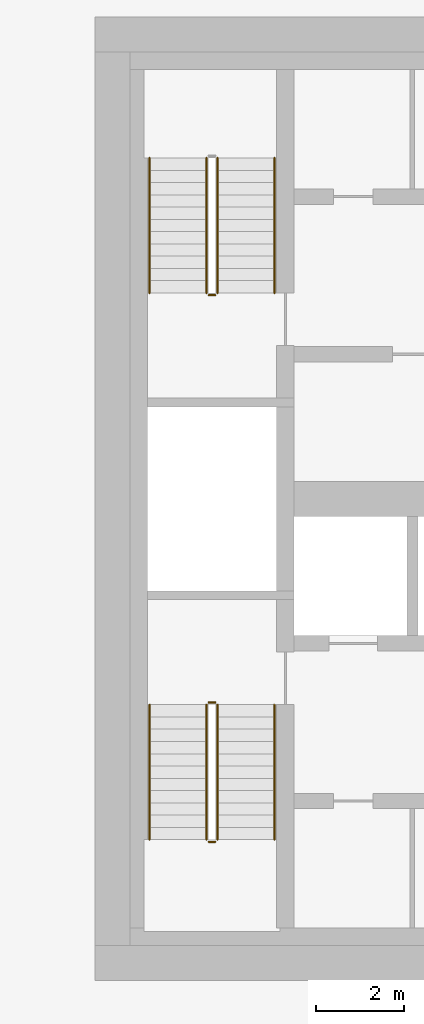
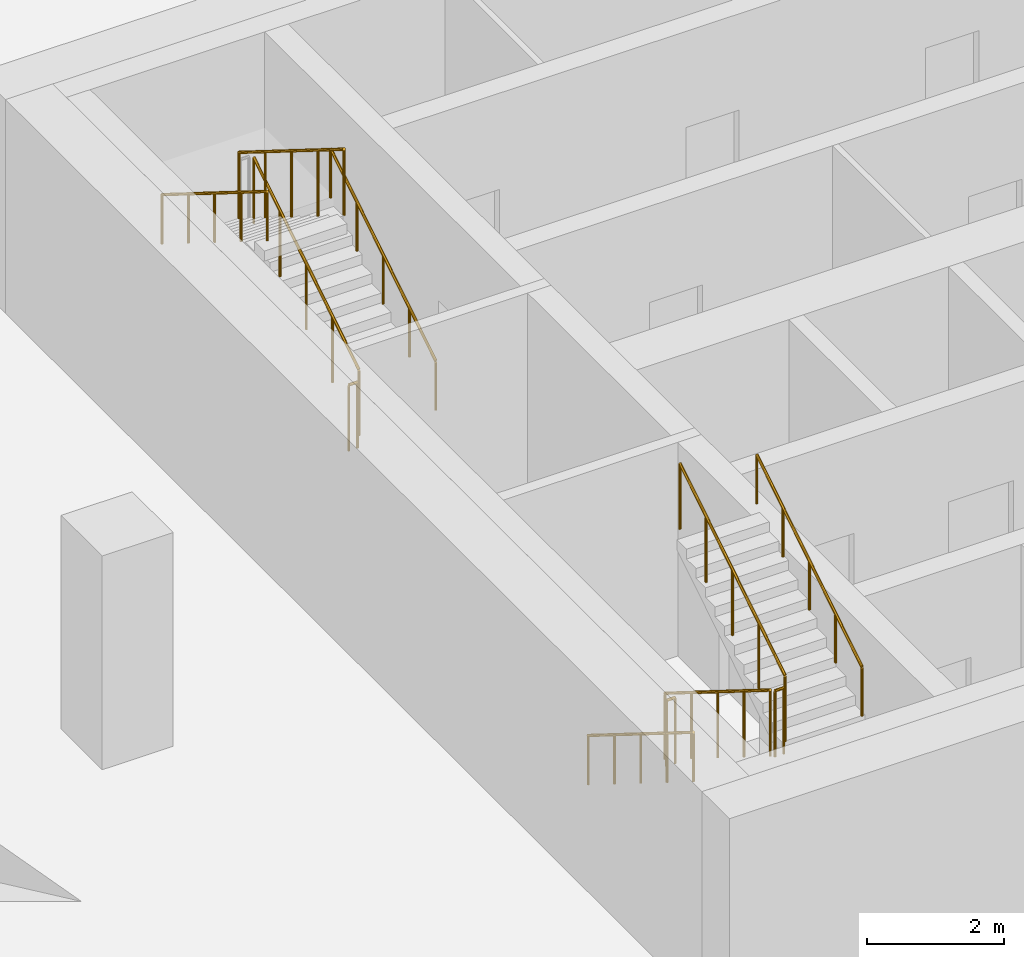
# One storey, part 16 of 19: 11 railings.
"""IFC4 building model written with IfcOpenShell, lengths in metres."""

from ifc_helpers import new_model, si_unit, direction, frame, origin, origin_2d, place, context, subcontext, project, spatial, circle, extrude, material, type_object, element, save


model = new_model("IFC4")

# Units and contexts
model_context = context("Model", 3, precision=1e-05, world=origin(), true_north=direction((0.0, 1.0)))
body_context = subcontext(model_context, "Body", "Model", "MODEL_VIEW")
ifc_project = project(units=[si_unit("LENGTHUNIT", "METRE"), si_unit("AREAUNIT", "SQUARE_METRE"), si_unit("VOLUMEUNIT", "CUBIC_METRE"), si_unit("PLANEANGLEUNIT", "RADIAN"), si_unit("MASSUNIT", "GRAM", prefix="KILO")], contexts=[model_context])

# Site, building, storey
site_placement = place(None, origin())
site = spatial("IfcSite", under=ifc_project, at=site_placement, CompositionType="ELEMENT")
building_placement = place(site_placement, origin())
building = spatial("IfcBuilding", under=site, at=building_placement, Name="Dongbaek Canopy Tower", CompositionType="ELEMENT")
storey_placement = place(building_placement, frame((0.0, 0.0, 198.800048828125)))
storey = spatial("IfcBuildingStorey", under=building, at=storey_placement, Name="L41", CompositionType="ELEMENT", Elevation=198.800048828125)

# Railings
ifc_material_1 = material(Name="Stainless steel tube and balusters", Category="steel")
railing_type_1 = type_object("IfcRailingType", Name="Stair guard 1200", PredefinedType="GUARDRAIL", material=ifc_material_1)
railing_1_placement = place(storey_placement, frame((-11.199951171875, 4.699951171875, 0.175048828125)))
element("IfcRailing", 1, at=railing_1_placement, inside=storey, type_object=railing_type_1, Name="L41 ST-C stair guard 1", PredefinedType="GUARDRAIL", context=body_context, shape_type="SweptSolid", body=[
    extrude(circle(Radius=0.02392578125, at=origin_2d()), frame((0.0, 0.0, 1.17578125), z_axis=(0.0, 0.848028513186, 0.529950602248), x_axis=(-1.0, 0.0, 0.0)), (0.0, 0.0, 1.0), 3.632080078125),
    extrude(circle(Radius=0.02099609375, at=origin_2d()), origin(), (0.0, 0.0, 1.0), 1.15185546875),
    extrude(circle(Radius=0.02099609375, at=origin_2d()), frame((0.0, 0.77001953125, 0.481201171875)), (0.0, 0.0, 1.0), 1.15185546875),
    extrude(circle(Radius=0.02099609375, at=origin_2d()), frame((0.0, 1.5400390625, 0.96240234375)), (0.0, 0.0, 1.0), 1.15185546875),
    extrude(circle(Radius=0.02099609375, at=origin_2d()), frame((0.0, 2.31005859375, 1.443603515625)), (0.0, 0.0, 1.0), 1.15185546875),
    extrude(circle(Radius=0.02099609375, at=origin_2d()), frame((0.0, 3.080078125, 1.9248046875)), (0.0, 0.0, 1.0), 1.15185546875),
])
railing_2_placement = place(storey_placement, frame((-11.449951171875, 7.780029296875, 2.27490234375)))
element("IfcRailing", 2, at=railing_2_placement, inside=storey, type_object=railing_type_1, Name="L41 ST-C stair guard 3", PredefinedType="GUARDRAIL", context=body_context, shape_type="SweptSolid", body=[
    extrude(circle(Radius=0.02392578125, at=origin_2d()), frame((0.0, 0.0, 1.17578125), z_axis=(0.0, -0.847998304005, 0.529998940003), x_axis=(1.0, 0.0, 0.0)), (0.0, 0.0, 1.0), 3.632080078125),
    extrude(circle(Radius=0.02099609375, at=origin_2d()), origin(), (0.0, 0.0, 1.0), 1.15185546875),
    extrude(circle(Radius=0.02099609375, at=origin_2d()), frame((0.0, -0.77001953125, 0.481201171875)), (0.0, 0.0, 1.0), 1.15185546875),
    extrude(circle(Radius=0.02099609375, at=origin_2d()), frame((0.0, -1.5400390625, 0.96240234375)), (0.0, 0.0, 1.0), 1.15185546875),
    extrude(circle(Radius=0.02099609375, at=origin_2d()), frame((0.0, -2.31005859375, 1.44384765625)), (0.0, 0.0, 1.0), 1.15185546875),
    extrude(circle(Radius=0.02099609375, at=origin_2d()), frame((0.0, -3.080078125, 1.925048828125)), (0.0, 0.0, 1.0), 1.15185546875),
])
railing_3_placement = place(storey_placement, frame((-11.25, 4.64990234375, 0.0)))
element("IfcRailing", 3, at=railing_3_placement, inside=storey, type_object=railing_type_1, Name="L41 ST-C stair guard 4", PredefinedType="GUARDRAIL", context=body_context, shape_type="SweptSolid", body=[
    extrude(circle(Radius=0.02392578125, at=origin_2d()), frame((0.0, 0.0, 1.17578125), z_axis=(-1.0, 0.0, 0.0), x_axis=(0.0, -1.0, 0.0)), (0.0, 0.0, 1.0), 0.14990234375),
    extrude(circle(Radius=0.02099609375, at=origin_2d()), origin(), (0.0, 0.0, 1.0), 1.15185546875),
    extrude(circle(Radius=0.02099609375, at=origin_2d()), frame((-0.14990234375, 0.0, 0.0)), (0.0, 0.0, 1.0), 1.15185546875),
])
railing_4_placement = place(storey_placement, frame((-11.449951171875, -4.699951171875, 0.175048828125)))
element("IfcRailing", 4, at=railing_4_placement, inside=storey, type_object=railing_type_1, Name="L41 ST-D stair guard 1", PredefinedType="GUARDRAIL", context=body_context, shape_type="SweptSolid", body=[
    extrude(circle(Radius=0.02392578125, at=origin_2d()), frame((0.0, 0.0, 1.17578125), z_axis=(0.0, -0.848028513186, 0.529950602248), x_axis=(1.0, 0.0, 0.0)), (0.0, 0.0, 1.0), 3.632080078125),
    extrude(circle(Radius=0.02099609375, at=origin_2d()), origin(), (0.0, 0.0, 1.0), 1.15185546875),
    extrude(circle(Radius=0.02099609375, at=origin_2d()), frame((0.0, -0.77001953125, 0.481201171875)), (0.0, 0.0, 1.0), 1.15185546875),
    extrude(circle(Radius=0.02099609375, at=origin_2d()), frame((0.0, -1.5400390625, 0.96240234375)), (0.0, 0.0, 1.0), 1.15185546875),
    extrude(circle(Radius=0.02099609375, at=origin_2d()), frame((0.0, -2.31005859375, 1.443603515625)), (0.0, 0.0, 1.0), 1.15185546875),
    extrude(circle(Radius=0.02099609375, at=origin_2d()), frame((0.0, -3.080078125, 1.9248046875)), (0.0, 0.0, 1.0), 1.15185546875),
])
railing_5_placement = place(storey_placement, frame((-11.39990234375, -7.830078125, 2.099853515625)))
element("IfcRailing", 5, at=railing_5_placement, inside=storey, type_object=railing_type_1, Name="L41 ST-D stair guard 2", PredefinedType="GUARDRAIL", context=body_context, shape_type="SweptSolid", body=[
    extrude(circle(Radius=0.02392578125, at=origin_2d()), frame((0.0, 0.0, 1.17578125), z_axis=(1.0, 0.0, 0.0), x_axis=(0.0, 1.0, 0.0)), (0.0, 0.0, 1.0), 0.14990234375),
    extrude(circle(Radius=0.02099609375, at=origin_2d()), origin(), (0.0, 0.0, 1.0), 1.15185546875),
    extrude(circle(Radius=0.02099609375, at=origin_2d()), frame((0.14990234375, 0.0, 0.0)), (0.0, 0.0, 1.0), 1.15185546875),
])
railing_6_placement = place(storey_placement, frame((-11.199951171875, -7.780029296875, 2.27490234375)))
element("IfcRailing", 6, at=railing_6_placement, inside=storey, type_object=railing_type_1, Name="L41 ST-D stair guard 3", PredefinedType="GUARDRAIL", context=body_context, shape_type="SweptSolid", body=[
    extrude(circle(Radius=0.02392578125, at=origin_2d()), frame((0.0, 0.0, 1.17578125), z_axis=(0.0, 0.847998304005, 0.529998940003), x_axis=(-1.0, 0.0, 0.0)), (0.0, 0.0, 1.0), 3.632080078125),
    extrude(circle(Radius=0.02099609375, at=origin_2d()), origin(), (0.0, 0.0, 1.0), 1.15185546875),
    extrude(circle(Radius=0.02099609375, at=origin_2d()), frame((0.0, 0.77001953125, 0.481201171875)), (0.0, 0.0, 1.0), 1.15185546875),
    extrude(circle(Radius=0.02099609375, at=origin_2d()), frame((0.0, 1.5400390625, 0.96240234375)), (0.0, 0.0, 1.0), 1.15185546875),
    extrude(circle(Radius=0.02099609375, at=origin_2d()), frame((0.0, 2.31005859375, 1.44384765625)), (0.0, 0.0, 1.0), 1.15185546875),
    extrude(circle(Radius=0.02099609375, at=origin_2d()), frame((0.0, 3.080078125, 1.925048828125)), (0.0, 0.0, 1.0), 1.15185546875),
])
railing_7_placement = place(storey_placement, frame((-11.39990234375, -4.64990234375, 0.0)))
element("IfcRailing", 7, at=railing_7_placement, inside=storey, type_object=railing_type_1, Name="L41 ST-D stair guard 4", PredefinedType="GUARDRAIL", context=body_context, shape_type="SweptSolid", body=[
    extrude(circle(Radius=0.02392578125, at=origin_2d()), frame((0.0, 0.0, 1.17578125), z_axis=(1.0, 0.0, 0.0), x_axis=(0.0, 1.0, 0.0)), (0.0, 0.0, 1.0), 0.14990234375),
    extrude(circle(Radius=0.02099609375, at=origin_2d()), origin(), (0.0, 0.0, 1.0), 1.15185546875),
    extrude(circle(Radius=0.02099609375, at=origin_2d()), frame((0.14990234375, 0.0, 0.0)), (0.0, 0.0, 1.0), 1.15185546875),
])
ifc_material_2 = material(Name="Stainless steel tube", Category="steel")
railing_type_2 = type_object("IfcRailingType", Name="Stair handrail 900", PredefinedType="HANDRAIL", material=ifc_material_2)
railing_8_placement = place(storey_placement, frame((-9.89990234375, 4.699951171875, 0.175048828125)))
element("IfcRailing", 8, at=railing_8_placement, inside=storey, type_object=railing_type_2, Name="L41 ST-C stair handrail 1", PredefinedType="HANDRAIL", context=body_context, shape_type="SweptSolid", body=[
    extrude(circle(Radius=0.02392578125, at=origin_2d()), frame((0.0, 0.0, 0.8759765625), z_axis=(0.0, 0.848028513186, 0.529950602248), x_axis=(-1.0, 0.0, 0.0)), (0.0, 0.0, 1.0), 3.632080078125),
    extrude(circle(Radius=0.02099609375, at=origin_2d()), origin(), (0.0, 0.0, 1.0), 0.851806640625),
    extrude(circle(Radius=0.02099609375, at=origin_2d()), frame((0.0, 0.77001953125, 0.481201171875)), (0.0, 0.0, 1.0), 0.851806640625),
    extrude(circle(Radius=0.02099609375, at=origin_2d()), frame((0.0, 1.5400390625, 0.96240234375)), (0.0, 0.0, 1.0), 0.851806640625),
    extrude(circle(Radius=0.02099609375, at=origin_2d()), frame((0.0, 2.31005859375, 1.443603515625)), (0.0, 0.0, 1.0), 0.851806640625),
    extrude(circle(Radius=0.02099609375, at=origin_2d()), frame((0.0, 3.080078125, 1.9248046875)), (0.0, 0.0, 1.0), 0.851806640625),
])
railing_9_placement = place(storey_placement, frame((-12.75, 7.780029296875, 2.27490234375)))
element("IfcRailing", 9, at=railing_9_placement, inside=storey, type_object=railing_type_2, Name="L41 ST-C stair handrail 2", PredefinedType="HANDRAIL", context=body_context, shape_type="SweptSolid", body=[
    extrude(circle(Radius=0.02392578125, at=origin_2d()), frame((0.0, 0.0, 0.8759765625), z_axis=(0.0, -0.847998304005, 0.529998940003), x_axis=(1.0, 0.0, 0.0)), (0.0, 0.0, 1.0), 3.632080078125),
    extrude(circle(Radius=0.02099609375, at=origin_2d()), origin(), (0.0, 0.0, 1.0), 0.851806640625),
    extrude(circle(Radius=0.02099609375, at=origin_2d()), frame((0.0, -0.77001953125, 0.481201171875)), (0.0, 0.0, 1.0), 0.851806640625),
    extrude(circle(Radius=0.02099609375, at=origin_2d()), frame((0.0, -1.5400390625, 0.96240234375)), (0.0, 0.0, 1.0), 0.851806640625),
    extrude(circle(Radius=0.02099609375, at=origin_2d()), frame((0.0, -2.31005859375, 1.44384765625)), (0.0, 0.0, 1.0), 0.851806640625),
    extrude(circle(Radius=0.02099609375, at=origin_2d()), frame((0.0, -3.080078125, 1.925048828125)), (0.0, 0.0, 1.0), 0.851806640625),
])
railing_10_placement = place(storey_placement, frame((-12.75, -4.699951171875, 0.175048828125)))
element("IfcRailing", 10, at=railing_10_placement, inside=storey, type_object=railing_type_2, Name="L41 ST-D stair handrail 1", PredefinedType="HANDRAIL", context=body_context, shape_type="SweptSolid", body=[
    extrude(circle(Radius=0.02392578125, at=origin_2d()), frame((0.0, 0.0, 0.8759765625), z_axis=(0.0, -0.848028513186, 0.529950602248), x_axis=(1.0, 0.0, 0.0)), (0.0, 0.0, 1.0), 3.632080078125),
    extrude(circle(Radius=0.02099609375, at=origin_2d()), origin(), (0.0, 0.0, 1.0), 0.851806640625),
    extrude(circle(Radius=0.02099609375, at=origin_2d()), frame((0.0, -0.77001953125, 0.481201171875)), (0.0, 0.0, 1.0), 0.851806640625),
    extrude(circle(Radius=0.02099609375, at=origin_2d()), frame((0.0, -1.5400390625, 0.96240234375)), (0.0, 0.0, 1.0), 0.851806640625),
    extrude(circle(Radius=0.02099609375, at=origin_2d()), frame((0.0, -2.31005859375, 1.443603515625)), (0.0, 0.0, 1.0), 0.851806640625),
    extrude(circle(Radius=0.02099609375, at=origin_2d()), frame((0.0, -3.080078125, 1.9248046875)), (0.0, 0.0, 1.0), 0.851806640625),
])
railing_11_placement = place(storey_placement, frame((-9.89990234375, -7.780029296875, 2.27490234375)))
element("IfcRailing", 11, at=railing_11_placement, inside=storey, type_object=railing_type_2, Name="L41 ST-D stair handrail 2", PredefinedType="HANDRAIL", context=body_context, shape_type="SweptSolid", body=[
    extrude(circle(Radius=0.02392578125, at=origin_2d()), frame((0.0, 0.0, 0.8759765625), z_axis=(0.0, 0.847998304005, 0.529998940003), x_axis=(-1.0, 0.0, 0.0)), (0.0, 0.0, 1.0), 3.632080078125),
    extrude(circle(Radius=0.02099609375, at=origin_2d()), origin(), (0.0, 0.0, 1.0), 0.851806640625),
    extrude(circle(Radius=0.02099609375, at=origin_2d()), frame((0.0, 0.77001953125, 0.481201171875)), (0.0, 0.0, 1.0), 0.851806640625),
    extrude(circle(Radius=0.02099609375, at=origin_2d()), frame((0.0, 1.5400390625, 0.96240234375)), (0.0, 0.0, 1.0), 0.851806640625),
    extrude(circle(Radius=0.02099609375, at=origin_2d()), frame((0.0, 2.31005859375, 1.44384765625)), (0.0, 0.0, 1.0), 0.851806640625),
    extrude(circle(Radius=0.02099609375, at=origin_2d()), frame((0.0, 3.080078125, 1.925048828125)), (0.0, 0.0, 1.0), 0.851806640625),
])

save(model, "model.ifc")
